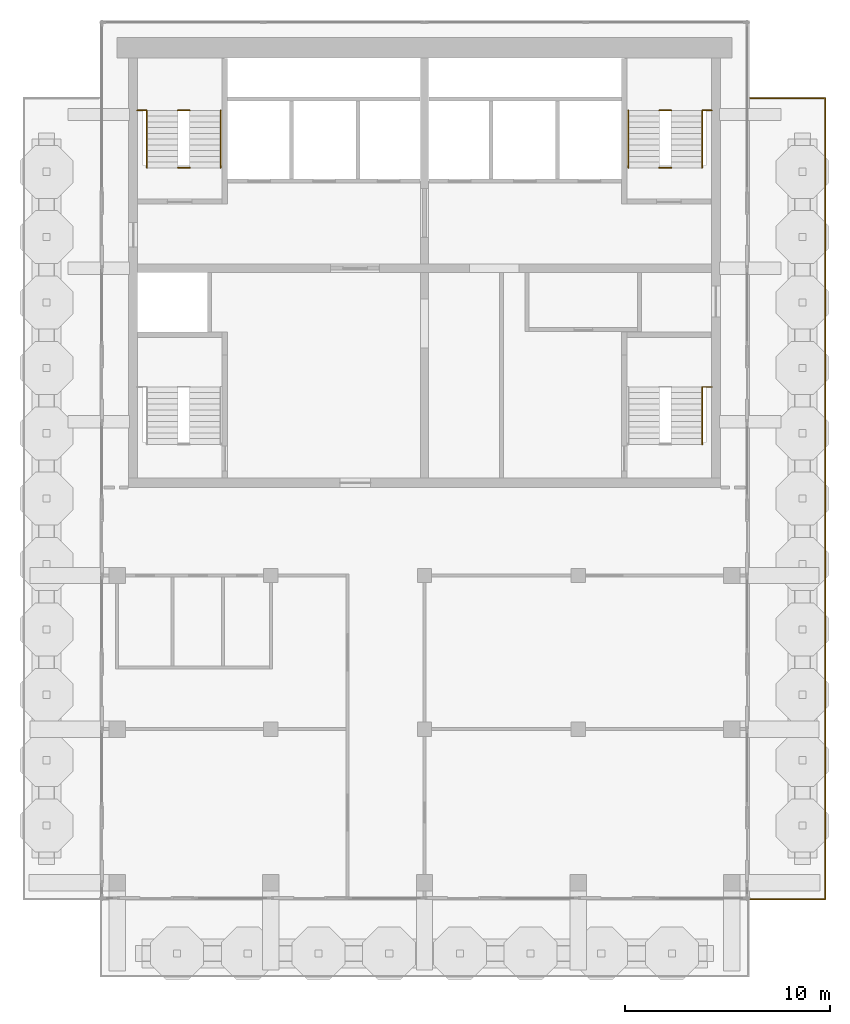
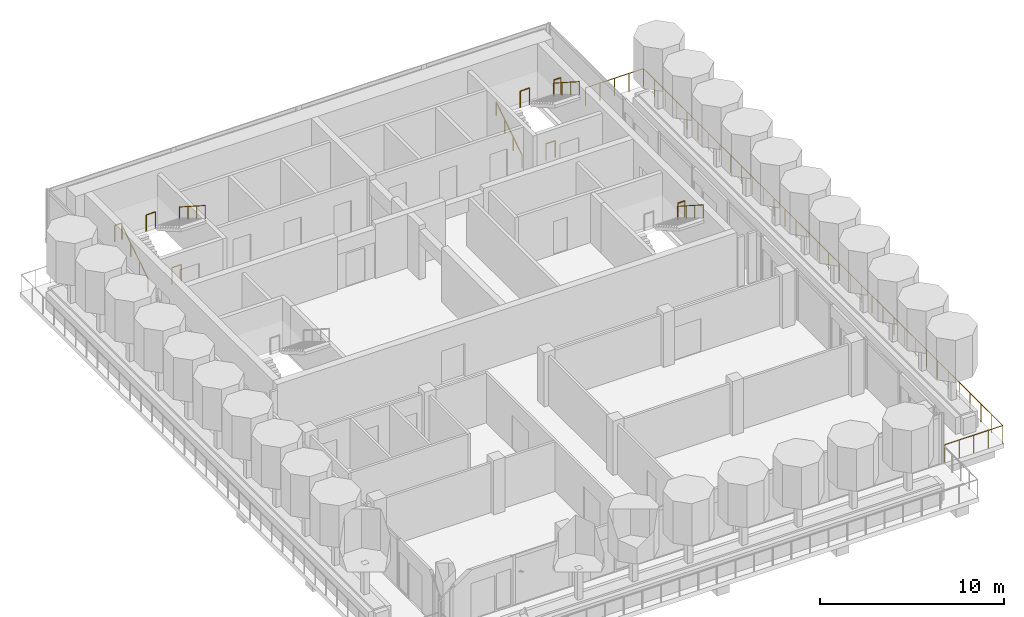
# One storey, part 9 of 10: 13 railings.
"""IFC4 building model written with IfcOpenShell, lengths in metres."""

from ifc_helpers import new_model, si_unit, direction, frame, origin, origin_2d, place, context, subcontext, project, spatial, circle, extrude, material, type_object, element, save


model = new_model("IFC4")

# Units and contexts
model_context = context("Model", 3, precision=1e-05, world=origin(), true_north=direction((0.0, 1.0)))
body_context = subcontext(model_context, "Body", "Model", "MODEL_VIEW")
ifc_project = project(units=[si_unit("LENGTHUNIT", "METRE"), si_unit("AREAUNIT", "SQUARE_METRE"), si_unit("VOLUMEUNIT", "CUBIC_METRE"), si_unit("PLANEANGLEUNIT", "RADIAN"), si_unit("MASSUNIT", "GRAM", prefix="KILO")], contexts=[model_context])

# Site, building, storey
site_placement = place(None, origin())
site = spatial("IfcSite", under=ifc_project, at=site_placement, CompositionType="ELEMENT")
building_placement = place(site_placement, origin())
building = spatial("IfcBuilding", under=site, at=building_placement, Name="Pilkhan Gate Tower", CompositionType="ELEMENT")
storey_placement = place(building_placement, frame((0.0, 0.0, 272.89990234375)))
storey = spatial("IfcBuildingStorey", under=building, at=storey_placement, Name="L71", CompositionType="ELEMENT", Elevation=272.89990234375)

# Railings
ifc_material_1 = material(Name="Black powder-coated steel tube", Category="steel")
railing_type_1 = type_object("IfcRailingType", Name="Stair handrail HR1", PredefinedType="HANDRAIL", material=ifc_material_1)
railing_1_placement = place(storey_placement, frame((88.550048828125, 76.699951171875, 1.800048828125)))
element("IfcRailing", 1, at=railing_1_placement, inside=storey, type_object=railing_type_1, Name="Stair ST1 handrail L71", PredefinedType="HANDRAIL", context=body_context, shape_type="SweptSolid", body=[
    extrude(circle(Radius=0.02392578125, at=origin_2d()), frame((0.0, 0.0, 0.8759765625), z_axis=(0.0, -0.841176092368, 0.540761298198), x_axis=(1.0, 0.0, 0.0)), (0.0, 0.0, 1.0), 3.32861328125),
    extrude(circle(Radius=0.02099609375, at=origin_2d()), origin(), (0.0, 0.0, 1.0), 0.851806640625),
    extrude(circle(Radius=0.02099609375, at=origin_2d()), frame((0.0, -0.933349609375, 0.60009765625)), (0.0, 0.0, 1.0), 0.851806640625),
    extrude(circle(Radius=0.02099609375, at=origin_2d()), frame((0.0, -1.86669921875, 1.199951171875)), (0.0, 0.0, 1.0), 0.851806640625),
    extrude(circle(Radius=0.02099609375, at=origin_2d()), frame((0.0, -2.800048828125, 1.800048828125)), (0.0, 0.0, 1.0), 0.851806640625),
])
railing_2_placement = place(storey_placement, frame((61.449951171875, 87.39990234375, 0.0)))
element("IfcRailing", 2, at=railing_2_placement, inside=storey, type_object=railing_type_1, Name="Stair ST3 handrail L71", PredefinedType="HANDRAIL", context=body_context, shape_type="SweptSolid", body=[
    extrude(circle(Radius=0.02392578125, at=origin_2d()), frame((0.0, 0.0, 0.8759765625), z_axis=(0.0, 0.841176092368, 0.540761298198), x_axis=(-1.0, 0.0, 0.0)), (0.0, 0.0, 1.0), 3.32861328125),
    extrude(circle(Radius=0.02099609375, at=origin_2d()), origin(), (0.0, 0.0, 1.0), 0.851806640625),
    extrude(circle(Radius=0.02099609375, at=origin_2d()), frame((0.0, 0.933349609375, 0.60009765625)), (0.0, 0.0, 1.0), 0.851806640625),
    extrude(circle(Radius=0.02099609375, at=origin_2d()), frame((0.0, 1.86669921875, 1.199951171875)), (0.0, 0.0, 1.0), 0.851806640625),
    extrude(circle(Radius=0.02099609375, at=origin_2d()), frame((0.0, 2.800048828125, 1.800048828125)), (0.0, 0.0, 1.0), 0.851806640625),
])
railing_3_placement = place(storey_placement, frame((65.050048828125, 90.199951171875, 1.800048828125)))
element("IfcRailing", 3, at=railing_3_placement, inside=storey, type_object=railing_type_1, Name="Stair ST3 handrail L71", PredefinedType="HANDRAIL", context=body_context, shape_type="SweptSolid", body=[
    extrude(circle(Radius=0.02392578125, at=origin_2d()), frame((0.0, 0.0, 0.8759765625), z_axis=(0.0, -0.841176092368, 0.540761298198), x_axis=(1.0, 0.0, 0.0)), (0.0, 0.0, 1.0), 3.32861328125),
    extrude(circle(Radius=0.02099609375, at=origin_2d()), origin(), (0.0, 0.0, 1.0), 0.851806640625),
    extrude(circle(Radius=0.02099609375, at=origin_2d()), frame((0.0, -0.933349609375, 0.60009765625)), (0.0, 0.0, 1.0), 0.851806640625),
    extrude(circle(Radius=0.02099609375, at=origin_2d()), frame((0.0, -1.86669921875, 1.199951171875)), (0.0, 0.0, 1.0), 0.851806640625),
    extrude(circle(Radius=0.02099609375, at=origin_2d()), frame((0.0, -2.800048828125, 1.800048828125)), (0.0, 0.0, 1.0), 0.851806640625),
])
railing_4_placement = place(storey_placement, frame((84.949951171875, 87.39990234375, 0.0)))
element("IfcRailing", 4, at=railing_4_placement, inside=storey, type_object=railing_type_1, Name="Stair ST4 handrail L71", PredefinedType="HANDRAIL", context=body_context, shape_type="SweptSolid", body=[
    extrude(circle(Radius=0.02392578125, at=origin_2d()), frame((0.0, 0.0, 0.8759765625), z_axis=(0.0, 0.841176092368, 0.540761298198), x_axis=(-1.0, 0.0, 0.0)), (0.0, 0.0, 1.0), 3.32861328125),
    extrude(circle(Radius=0.02099609375, at=origin_2d()), origin(), (0.0, 0.0, 1.0), 0.851806640625),
    extrude(circle(Radius=0.02099609375, at=origin_2d()), frame((0.0, 0.933349609375, 0.60009765625)), (0.0, 0.0, 1.0), 0.851806640625),
    extrude(circle(Radius=0.02099609375, at=origin_2d()), frame((0.0, 1.86669921875, 1.199951171875)), (0.0, 0.0, 1.0), 0.851806640625),
    extrude(circle(Radius=0.02099609375, at=origin_2d()), frame((0.0, 2.800048828125, 1.800048828125)), (0.0, 0.0, 1.0), 0.851806640625),
])
railing_5_placement = place(storey_placement, frame((88.550048828125, 90.199951171875, 1.800048828125)))
element("IfcRailing", 5, at=railing_5_placement, inside=storey, type_object=railing_type_1, Name="Stair ST4 handrail L71", PredefinedType="HANDRAIL", context=body_context, shape_type="SweptSolid", body=[
    extrude(circle(Radius=0.02392578125, at=origin_2d()), frame((0.0, 0.0, 0.8759765625), z_axis=(0.0, -0.841176092368, 0.540761298198), x_axis=(1.0, 0.0, 0.0)), (0.0, 0.0, 1.0), 3.32861328125),
    extrude(circle(Radius=0.02099609375, at=origin_2d()), origin(), (0.0, 0.0, 1.0), 0.851806640625),
    extrude(circle(Radius=0.02099609375, at=origin_2d()), frame((0.0, -0.933349609375, 0.60009765625)), (0.0, 0.0, 1.0), 0.851806640625),
    extrude(circle(Radius=0.02099609375, at=origin_2d()), frame((0.0, -1.86669921875, 1.199951171875)), (0.0, 0.0, 1.0), 0.851806640625),
    extrude(circle(Radius=0.02099609375, at=origin_2d()), frame((0.0, -2.800048828125, 1.800048828125)), (0.0, 0.0, 1.0), 0.851806640625),
])
ifc_material_2 = material(Name="Black powder-coated steel balusters", Category="steel")
railing_type_2 = type_object("IfcRailingType", Name="Stair well guard G3", PredefinedType="GUARDRAIL", material=ifc_material_2)
for number, where, name in (
    (6, (88.580078125, 76.699951171875, 1.800048828125), "Stair ST1 well guard L71"),
    (7, (60.97998046875, 90.199951171875, 1.800048828125), "Stair ST3 well guard L71"),
):
    element("IfcRailing", number, at=place(storey_placement, frame(where)), inside=storey, type_object=railing_type_2, Name=name, PredefinedType="GUARDRAIL", context=body_context, shape_type="SweptSolid", body=[
        extrude(circle(Radius=0.02392578125, at=origin_2d()), frame((0.0, 0.0, 1.076171875), z_axis=(1.0, 0.0, 0.0), x_axis=(0.0, 1.0, 0.0)), (0.0, 0.0, 1.0), 0.43994140625),
        extrude(circle(Radius=0.02099609375, at=origin_2d()), origin(), (0.0, 0.0, 1.0), 1.052001953125),
        extrude(circle(Radius=0.02099609375, at=origin_2d()), frame((0.43994140625, 0.0, 0.0)), (0.0, 0.0, 1.0), 1.052001953125),
    ])
for number, where, name in (
    (8, (62.9599609375, 87.39990234375, 0.0), "Stair ST3 well guard L71"),
    (9, (62.9599609375, 90.199951171875, 1.800048828125), "Stair ST3 well guard L71"),
):
    element("IfcRailing", number, at=place(storey_placement, frame(where)), inside=storey, type_object=railing_type_2, Name=name, PredefinedType="GUARDRAIL", context=body_context, shape_type="SweptSolid", body=[
        extrude(circle(Radius=0.02392578125, at=origin_2d()), frame((0.0, 0.0, 1.076171875), z_axis=(1.0, 0.0, 0.0), x_axis=(0.0, 1.0, 0.0)), (0.0, 0.0, 1.0), 0.580078125),
        extrude(circle(Radius=0.02099609375, at=origin_2d()), origin(), (0.0, 0.0, 1.0), 1.052001953125),
        extrude(circle(Radius=0.02099609375, at=origin_2d()), frame((0.580078125, 0.0, 0.0)), (0.0, 0.0, 1.0), 1.052001953125),
    ])
railing_6_placement = place(storey_placement, frame((88.580078125, 90.199951171875, 1.800048828125)))
element("IfcRailing", 10, at=railing_6_placement, inside=storey, type_object=railing_type_2, Name="Stair ST4 well guard L71", PredefinedType="GUARDRAIL", context=body_context, shape_type="SweptSolid", body=[
    extrude(circle(Radius=0.02392578125, at=origin_2d()), frame((0.0, 0.0, 1.076171875), z_axis=(1.0, 0.0, 0.0), x_axis=(0.0, 1.0, 0.0)), (0.0, 0.0, 1.0), 0.43994140625),
    extrude(circle(Radius=0.02099609375, at=origin_2d()), origin(), (0.0, 0.0, 1.0), 1.052001953125),
    extrude(circle(Radius=0.02099609375, at=origin_2d()), frame((0.43994140625, 0.0, 0.0)), (0.0, 0.0, 1.0), 1.052001953125),
])
for number, where, name in (
    (11, (86.4599609375, 87.39990234375, 0.0), "Stair ST4 well guard L71"),
    (12, (86.4599609375, 90.199951171875, 1.800048828125), "Stair ST4 well guard L71"),
):
    element("IfcRailing", number, at=place(storey_placement, frame(where)), inside=storey, type_object=railing_type_2, Name=name, PredefinedType="GUARDRAIL", context=body_context, shape_type="SweptSolid", body=[
        extrude(circle(Radius=0.02392578125, at=origin_2d()), frame((0.0, 0.0, 1.076171875), z_axis=(1.0, 0.0, 0.0), x_axis=(0.0, 1.0, 0.0)), (0.0, 0.0, 1.0), 0.580078125),
        extrude(circle(Radius=0.02099609375, at=origin_2d()), origin(), (0.0, 0.0, 1.0), 1.052001953125),
        extrude(circle(Radius=0.02099609375, at=origin_2d()), frame((0.580078125, 0.0, 0.0)), (0.0, 0.0, 1.0), 1.052001953125),
    ])
ifc_material_3 = material(Name="Pale anodised aluminium posts, laminated glass infill", Category="aluminium")
railing_type_3 = type_object("IfcRailingType", Name="Terrace guard G2", PredefinedType="BALUSTRADE", material=ifc_material_3)
railing_7_placement = place(storey_placement, frame((90.89990234375, 90.800048828125, 0.0)))
element("IfcRailing", 13, at=railing_7_placement, inside=storey, type_object=railing_type_3, Name="Terrace guard L71", PredefinedType="BALUSTRADE", context=body_context, shape_type="SweptSolid", body=[
    extrude(circle(Radius=0.02392578125, at=origin_2d()), frame((0.0, 0.0, 1.17578125), z_axis=(1.0, 0.0, 0.0), x_axis=(0.0, 1.0, 0.0)), (0.0, 0.0, 1.0), 3.650146484375),
    extrude(circle(Radius=0.02392578125, at=origin_2d()), frame((3.650146484375, 0.0, 1.17578125), z_axis=(0.0, -1.0, 0.0), x_axis=(1.0, 0.0, 0.0)), (0.0, 0.0, 1.0), 39.10009765625),
    extrude(circle(Radius=0.02392578125, at=origin_2d()), frame((3.650146484375, -39.10009765625, 1.17578125), z_axis=(-1.0, 0.0, 0.0), x_axis=(0.0, -1.0, 0.0)), (0.0, 0.0, 1.0), 3.650146484375),
    extrude(circle(Radius=0.02099609375, at=origin_2d()), origin(), (0.0, 0.0, 1.0), 1.15185546875),
    extrude(circle(Radius=0.02099609375, at=origin_2d()), frame((0.91259765625, 0.0, 0.0)), (0.0, 0.0, 1.0), 1.15185546875),
    extrude(circle(Radius=0.02099609375, at=origin_2d()), frame((1.8251953125, 0.0, 0.0)), (0.0, 0.0, 1.0), 1.15185546875),
    extrude(circle(Radius=0.02099609375, at=origin_2d()), frame((2.737548828125, 0.0, 0.0)), (0.0, 0.0, 1.0), 1.15185546875),
    extrude(circle(Radius=0.02099609375, at=origin_2d()), frame((3.650146484375, 0.0, 0.0)), (0.0, 0.0, 1.0), 1.15185546875),
    extrude(circle(Radius=0.02099609375, at=origin_2d()), frame((3.650146484375, -1.184814453125, 0.0)), (0.0, 0.0, 1.0), 1.15185546875),
    extrude(circle(Radius=0.02099609375, at=origin_2d()), frame((3.650146484375, -2.36962890625, 0.0)), (0.0, 0.0, 1.0), 1.15185546875),
    extrude(circle(Radius=0.02099609375, at=origin_2d()), frame((3.650146484375, -3.554443359375, 0.0)), (0.0, 0.0, 1.0), 1.15185546875),
    extrude(circle(Radius=0.02099609375, at=origin_2d()), frame((3.650146484375, -4.739501953125, 0.0)), (0.0, 0.0, 1.0), 1.15185546875),
    extrude(circle(Radius=0.02099609375, at=origin_2d()), frame((3.650146484375, -5.92431640625, 0.0)), (0.0, 0.0, 1.0), 1.15185546875),
    extrude(circle(Radius=0.02099609375, at=origin_2d()), frame((3.650146484375, -7.109130859375, 0.0)), (0.0, 0.0, 1.0), 1.15185546875),
    extrude(circle(Radius=0.02099609375, at=origin_2d()), frame((3.650146484375, -8.2939453125, 0.0)), (0.0, 0.0, 1.0), 1.15185546875),
    extrude(circle(Radius=0.02099609375, at=origin_2d()), frame((3.650146484375, -9.478759765625, 0.0)), (0.0, 0.0, 1.0), 1.15185546875),
    extrude(circle(Radius=0.02099609375, at=origin_2d()), frame((3.650146484375, -10.66357421875, 0.0)), (0.0, 0.0, 1.0), 1.15185546875),
    extrude(circle(Radius=0.02099609375, at=origin_2d()), frame((3.650146484375, -11.8486328125, 0.0)), (0.0, 0.0, 1.0), 1.15185546875),
    extrude(circle(Radius=0.02099609375, at=origin_2d()), frame((3.650146484375, -13.033447265625, 0.0)), (0.0, 0.0, 1.0), 1.15185546875),
    extrude(circle(Radius=0.02099609375, at=origin_2d()), frame((3.650146484375, -14.21826171875, 0.0)), (0.0, 0.0, 1.0), 1.15185546875),
    extrude(circle(Radius=0.02099609375, at=origin_2d()), frame((3.650146484375, -15.403076171875, 0.0)), (0.0, 0.0, 1.0), 1.15185546875),
    extrude(circle(Radius=0.02099609375, at=origin_2d()), frame((3.650146484375, -16.587890625, 0.0)), (0.0, 0.0, 1.0), 1.15185546875),
    extrude(circle(Radius=0.02099609375, at=origin_2d()), frame((3.650146484375, -17.772705078125, 0.0)), (0.0, 0.0, 1.0), 1.15185546875),
    extrude(circle(Radius=0.02099609375, at=origin_2d()), frame((3.650146484375, -18.95751953125, 0.0)), (0.0, 0.0, 1.0), 1.15185546875),
    extrude(circle(Radius=0.02099609375, at=origin_2d()), frame((3.650146484375, -20.142578125, 0.0)), (0.0, 0.0, 1.0), 1.15185546875),
    extrude(circle(Radius=0.02099609375, at=origin_2d()), frame((3.650146484375, -21.327392578125, 0.0)), (0.0, 0.0, 1.0), 1.15185546875),
    extrude(circle(Radius=0.02099609375, at=origin_2d()), frame((3.650146484375, -22.51220703125, 0.0)), (0.0, 0.0, 1.0), 1.15185546875),
    extrude(circle(Radius=0.02099609375, at=origin_2d()), frame((3.650146484375, -23.697021484375, 0.0)), (0.0, 0.0, 1.0), 1.15185546875),
    extrude(circle(Radius=0.02099609375, at=origin_2d()), frame((3.650146484375, -24.8818359375, 0.0)), (0.0, 0.0, 1.0), 1.15185546875),
    extrude(circle(Radius=0.02099609375, at=origin_2d()), frame((3.650146484375, -26.066650390625, 0.0)), (0.0, 0.0, 1.0), 1.15185546875),
    extrude(circle(Radius=0.02099609375, at=origin_2d()), frame((3.650146484375, -27.25146484375, 0.0)), (0.0, 0.0, 1.0), 1.15185546875),
    extrude(circle(Radius=0.02099609375, at=origin_2d()), frame((3.650146484375, -28.4365234375, 0.0)), (0.0, 0.0, 1.0), 1.15185546875),
    extrude(circle(Radius=0.02099609375, at=origin_2d()), frame((3.650146484375, -29.621337890625, 0.0)), (0.0, 0.0, 1.0), 1.15185546875),
    extrude(circle(Radius=0.02099609375, at=origin_2d()), frame((3.650146484375, -30.80615234375, 0.0)), (0.0, 0.0, 1.0), 1.15185546875),
    extrude(circle(Radius=0.02099609375, at=origin_2d()), frame((3.650146484375, -31.990966796875, 0.0)), (0.0, 0.0, 1.0), 1.15185546875),
    extrude(circle(Radius=0.02099609375, at=origin_2d()), frame((3.650146484375, -33.17578125, 0.0)), (0.0, 0.0, 1.0), 1.15185546875),
    extrude(circle(Radius=0.02099609375, at=origin_2d()), frame((3.650146484375, -34.360595703125, 0.0)), (0.0, 0.0, 1.0), 1.15185546875),
    extrude(circle(Radius=0.02099609375, at=origin_2d()), frame((3.650146484375, -35.545654296875, 0.0)), (0.0, 0.0, 1.0), 1.15185546875),
    extrude(circle(Radius=0.02099609375, at=origin_2d()), frame((3.650146484375, -36.73046875, 0.0)), (0.0, 0.0, 1.0), 1.15185546875),
    extrude(circle(Radius=0.02099609375, at=origin_2d()), frame((3.650146484375, -37.915283203125, 0.0)), (0.0, 0.0, 1.0), 1.15185546875),
    extrude(circle(Radius=0.02099609375, at=origin_2d()), frame((3.650146484375, -39.10009765625, 0.0)), (0.0, 0.0, 1.0), 1.15185546875),
    extrude(circle(Radius=0.02099609375, at=origin_2d()), frame((2.737548828125, -39.10009765625, 0.0)), (0.0, 0.0, 1.0), 1.15185546875),
    extrude(circle(Radius=0.02099609375, at=origin_2d()), frame((1.8251953125, -39.10009765625, 0.0)), (0.0, 0.0, 1.0), 1.15185546875),
    extrude(circle(Radius=0.02099609375, at=origin_2d()), frame((0.91259765625, -39.10009765625, 0.0)), (0.0, 0.0, 1.0), 1.15185546875),
    extrude(circle(Radius=0.02099609375, at=origin_2d()), frame((0.0, -39.10009765625, 0.0)), (0.0, 0.0, 1.0), 1.15185546875),
])

save(model, "model.ifc")
